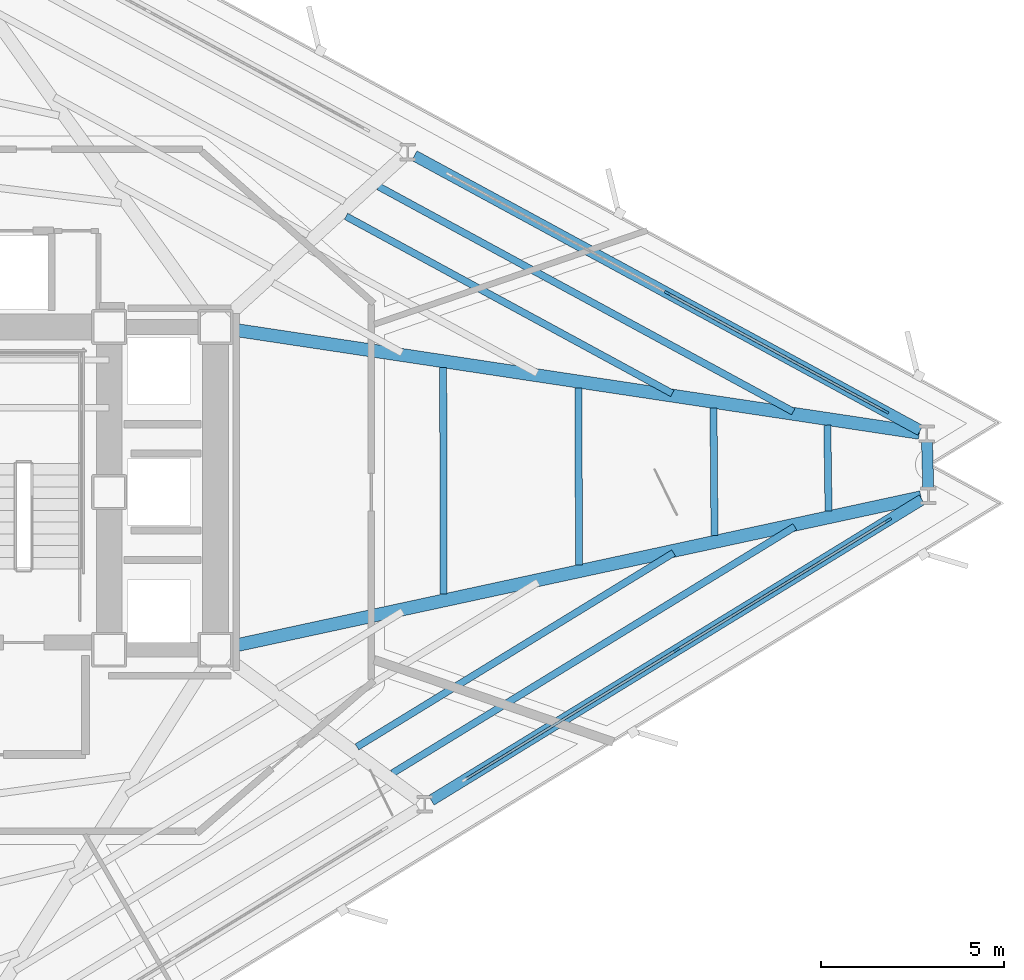
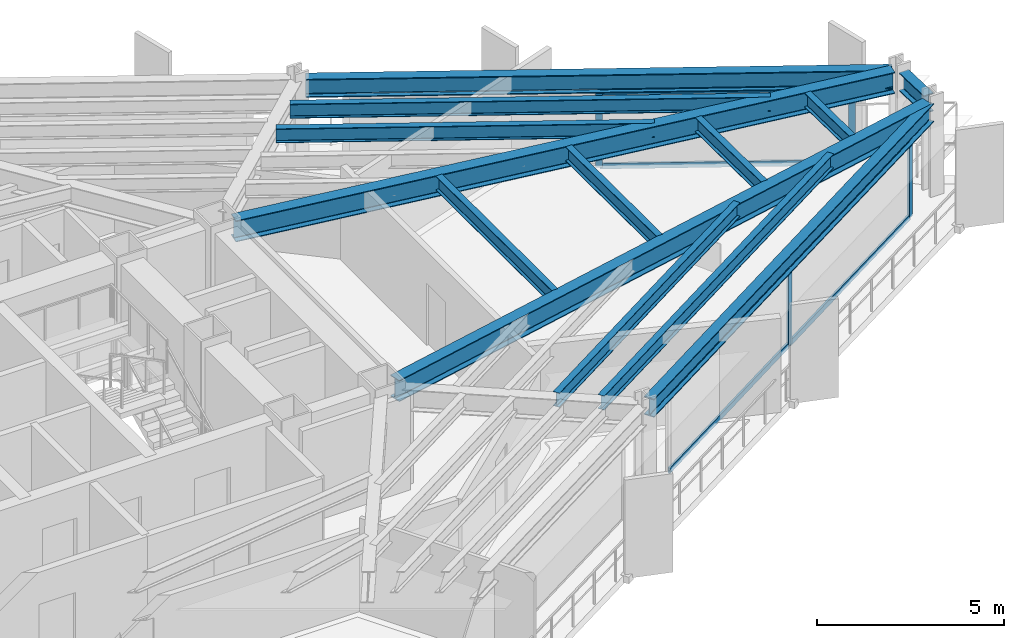
# One storey, part 4 of 14: 13 beams, 10 members, 2 elements without a shape of their own.
"""IFC4 building model written with IfcOpenShell, lengths in metres."""

from ifc_helpers import new_model, si_unit, direction, frame, origin, origin_2d, place, context, subcontext, project, spatial, rectangle, i_section, extrude, material, layer, layer_set, material_profile, profile_set, type_object, element, aggregate, save


model = new_model("IFC4")

# Units and contexts
model_context = context("Model", 3, precision=1e-05, world=origin(), true_north=direction((0.0, 1.0)))
body_context = subcontext(model_context, "Body", "Model", "MODEL_VIEW")
ifc_project = project(units=[si_unit("LENGTHUNIT", "METRE"), si_unit("AREAUNIT", "SQUARE_METRE"), si_unit("VOLUMEUNIT", "CUBIC_METRE"), si_unit("PLANEANGLEUNIT", "RADIAN"), si_unit("MASSUNIT", "GRAM", prefix="KILO")], contexts=[model_context])

# Site, building, storey
site_placement = place(None, origin())
site = spatial("IfcSite", under=ifc_project, at=site_placement, CompositionType="ELEMENT")
building_placement = place(site_placement, origin())
building = spatial("IfcBuilding", under=site, at=building_placement, Name="Rocaltana Carrier Exchange", CompositionType="ELEMENT")
storey_placement = place(building_placement, frame((0.0, 0.0, 39.0400390625)))
storey = spatial("IfcBuildingStorey", under=building, at=storey_placement, Name="L12", CompositionType="ELEMENT", Elevation=39.0400390625)

# Curtain wall, members
ifc_material_1 = material(Name="Aluminium 6063-T6", Category="aluminium")
ifc_layer = layer(ifc_material_1, 0.179931640625)
ifc_layer_set = layer_set([ifc_layer], Name="Aluminium 6063-T6")
curtain_wall_type = type_object("IfcCurtainWallType", Name="Sandstone Spandrel Unitised Curtain Wall CW-01", PredefinedType="NOTDEFINED", material=ifc_layer_set)
curtain_wall_1_placement = place(storey_placement, origin())
curtain_wall_1 = element("IfcCurtainWall", 1, at=curtain_wall_1_placement, inside=storey, type_object=curtain_wall_type, Name="L12 CW-01 Run CW-L12-F1S1", PredefinedType="NOTDEFINED")
ifc_material_2 = material(Name="Aluminium 6063-T6", Category="aluminium")
ifc_material_profile_1 = material_profile(ifc_material_2, rectangle(XDim=0.06494140625, YDim=0.179931640625, at=origin_2d()), Name="AL-65X180")
ifc_profile_set_1 = profile_set([ifc_material_profile_1], Name="Aluminium 6063-T6")
member_type_1 = type_object("IfcMemberType", Name="CW-01 Mullion AL-65X180", PredefinedType="MULLION", material=ifc_profile_set_1)
member_1_placement = place(storey_placement, frame((27.213623046875, 2.19677734375, 0.0), z_axis=(0.0, 0.0, 1.0), x_axis=(-0.477161473226, -0.878815639636, 0.0)))
member_1 = element("IfcMember", 2, at=member_1_placement, type_object=member_type_1, Name="CW-01 mullion 1", PredefinedType="MULLION", context=body_context, shape_type="SweptSolid", body=[
    extrude(rectangle(XDim=0.06494140625, YDim=0.179931640625, at=origin_2d()), origin(), (0.0, 0.0, 1.0), 2.47802734375),
])
member_2_placement = place(storey_placement, frame((21.26611328125, 5.426025390625, 0.0), z_axis=(0.0, 0.0, 1.0), x_axis=(-0.477161473226, -0.878815639636, 0.0)))
member_2 = element("IfcMember", 3, at=member_2_placement, type_object=member_type_1, Name="CW-01 mullion 2", PredefinedType="MULLION", context=body_context, shape_type="SweptSolid", body=[
    extrude(rectangle(XDim=0.06494140625, YDim=0.179931640625, at=origin_2d()), origin(), (0.0, 0.0, 1.0), 2.47802734375),
])

curtain_wall_2_placement = place(storey_placement, origin())
curtain_wall_2 = element("IfcCurtainWall", 4, at=curtain_wall_2_placement, inside=storey, type_object=curtain_wall_type, Name="L12 CW-01 Run CW-L12-F3S3", PredefinedType="NOTDEFINED")
member_3_placement = place(storey_placement, frame((21.52099609375, -4.3056640625, 0.0), z_axis=(0.0, 0.0, 1.0), x_axis=(-0.522499812415, 0.852639399762, 0.0)))
member_3 = element("IfcMember", 5, at=member_3_placement, type_object=member_type_1, Name="CW-01 mullion 2", PredefinedType="MULLION", context=body_context, shape_type="SweptSolid", body=[
    extrude(rectangle(XDim=0.06494140625, YDim=0.179931640625, at=origin_2d()), origin(), (0.0, 0.0, 1.0), 2.47802734375),
])
member_4_placement = place(storey_placement, frame((27.291259765625, -0.76953125, 0.0), z_axis=(0.0, 0.0, 1.0), x_axis=(-0.522499812415, 0.852639399762, 0.0)))
member_4 = element("IfcMember", 6, at=member_4_placement, type_object=member_type_1, Name="CW-01 mullion 3", PredefinedType="MULLION", context=body_context, shape_type="SweptSolid", body=[
    extrude(rectangle(XDim=0.06494140625, YDim=0.179931640625, at=origin_2d()), origin(), (0.0, 0.0, 1.0), 2.47802734375),
])

# Member
ifc_material_3 = material(Name="Aluminium 6063-T6", Category="aluminium")
ifc_material_profile_2 = material_profile(ifc_material_3, rectangle(XDim=0.06494140625, YDim=0.179931640625, at=origin_2d()), Name="AL-65X180")
ifc_profile_set_2 = profile_set([ifc_material_profile_2], Name="Aluminium 6063-T6")
member_type_2 = type_object("IfcMemberType", Name="CW-01 Transom AL-65X180", PredefinedType="USERDEFINED", material=ifc_profile_set_2)
member_5_placement = place(storey_placement, frame((27.18505859375, 2.21240234375, 0.032470703125), z_axis=(-0.878830739565, 0.477133661772, 0.0), x_axis=(-0.477133661772, -0.878830739565, 0.0)))
member_5 = element("IfcMember", 7, at=member_5_placement, type_object=member_type_2, Name="CW-01 transom 1.1", ObjectType="TRANSOM", PredefinedType="USERDEFINED", context=body_context, shape_type="SweptSolid", body=[
    extrude(rectangle(XDim=0.06494140625, YDim=0.179931640625, at=origin_2d()), origin(), (0.0, 0.0, 1.0), 6.70263671875),
])

member_6_placement = place(storey_placement, frame((27.18505859375, 2.21240234375, 2.445556640625), z_axis=(-0.878830739565, 0.477133661772, 0.0), x_axis=(-0.477133661772, -0.878830739565, 0.0)))
member_6 = element("IfcMember", 8, at=member_6_placement, type_object=member_type_2, Name="CW-01 transom 1.2", ObjectType="TRANSOM", PredefinedType="USERDEFINED", context=body_context, shape_type="SweptSolid", body=[
    extrude(rectangle(XDim=0.06494140625, YDim=0.179931640625, at=origin_2d()), origin(), (0.0, 0.0, 1.0), 6.70263671875),
])

aggregate(curtain_wall_1, [member_1, member_2, member_5, member_6])

member_7_placement = place(storey_placement, frame((15.7783203125, -7.82470703125, 0.032470703125), z_axis=(0.85263109068, 0.522513371318, 0.0), x_axis=(-0.522513371318, 0.85263109068, 0.0)))
member_7 = element("IfcMember", 9, at=member_7_placement, type_object=member_type_2, Name="CW-01 transom 1.1", ObjectType="TRANSOM", PredefinedType="USERDEFINED", context=body_context, shape_type="SweptSolid", body=[
    extrude(rectangle(XDim=0.06494140625, YDim=0.179931640625, at=origin_2d()), origin(), (0.0, 0.0, 1.0), 6.70263671875),
])

member_8_placement = place(storey_placement, frame((15.7783203125, -7.82470703125, 2.445556640625), z_axis=(0.85263109068, 0.522513371318, 0.0), x_axis=(-0.522513371318, 0.85263109068, 0.0)))
member_8 = element("IfcMember", 10, at=member_8_placement, type_object=member_type_2, Name="CW-01 transom 1.2", ObjectType="TRANSOM", PredefinedType="USERDEFINED", context=body_context, shape_type="SweptSolid", body=[
    extrude(rectangle(XDim=0.06494140625, YDim=0.179931640625, at=origin_2d()), origin(), (0.0, 0.0, 1.0), 6.70263671875),
])

member_9_placement = place(storey_placement, frame((21.548583984375, -4.28857421875, 0.032470703125), z_axis=(0.85264731822, 0.522486890488, 0.0), x_axis=(-0.522486890488, 0.85264731822, 0.0)))
member_9 = element("IfcMember", 11, at=member_9_placement, type_object=member_type_2, Name="CW-01 transom 2.1", ObjectType="TRANSOM", PredefinedType="USERDEFINED", context=body_context, shape_type="SweptSolid", body=[
    extrude(rectangle(XDim=0.06494140625, YDim=0.179931640625, at=origin_2d()), origin(), (0.0, 0.0, 1.0), 6.702392578125),
])

member_10_placement = place(storey_placement, frame((21.548583984375, -4.28857421875, 2.445556640625), z_axis=(0.85264731822, 0.522486890488, 0.0), x_axis=(-0.522486890488, 0.85264731822, 0.0)))
member_10 = element("IfcMember", 12, at=member_10_placement, type_object=member_type_2, Name="CW-01 transom 2.2", ObjectType="TRANSOM", PredefinedType="USERDEFINED", context=body_context, shape_type="SweptSolid", body=[
    extrude(rectangle(XDim=0.06494140625, YDim=0.179931640625, at=origin_2d()), origin(), (0.0, 0.0, 1.0), 6.702392578125),
])

aggregate(curtain_wall_2, [member_3, member_4, member_7, member_8, member_9, member_10])

# Beams
ifc_material_4 = material(Name="Steel S355", Category="steel")
ifc_material_profile_3 = material_profile(ifc_material_4, i_section(OverallWidth=0.193115234375, OverallDepth=0.466064453125, WebThickness=0.011474609375, FlangeThickness=0.01904296875, FilletRadius=0.013916015625, at=origin_2d()), Name="W18X65")
ifc_profile_set_3 = profile_set([ifc_material_profile_3], Name="Steel S355")
beam_type_1 = type_object("IfcBeamType", Name="Floor Joist W18X65", PredefinedType="JOIST", material=ifc_profile_set_3)
beam_1_placement = place(storey_placement, frame((21.4033203125, 2.68701171875, 2.864990234375), z_axis=(-0.878818466662, 0.477156266494, 0.0), x_axis=(-0.477156266494, -0.878818466662, 0.0)))
element("IfcBeam", 13, at=beam_1_placement, inside=storey, type_object=beam_type_1, Name="FJ-L12-01-3", PredefinedType="JOIST", context=body_context, shape_type="SweptSolid", body=[
    extrude(i_section(OverallWidth=0.193115234375, OverallDepth=0.466064453125, WebThickness=0.011474609375, FlangeThickness=0.01904296875, FilletRadius=0.013916015625, at=origin_2d()), origin(), (0.0, 0.0, 1.0), 10.1220703125),
])
beam_2_placement = place(storey_placement, frame((24.69970703125, 2.19140625, 2.864990234375), z_axis=(-0.878819767198, 0.477153871181, 0.0), x_axis=(-0.477153871181, -0.878819767198, 0.0)))
element("IfcBeam", 14, at=beam_2_placement, inside=storey, type_object=beam_type_1, Name="FJ-L12-01-4", PredefinedType="JOIST", context=body_context, shape_type="SweptSolid", body=[
    extrude(i_section(OverallWidth=0.193115234375, OverallDepth=0.466064453125, WebThickness=0.011474609375, FlangeThickness=0.01904296875, FilletRadius=0.013916015625, at=origin_2d()), origin(), (0.0, 0.0, 1.0), 12.859130859375),
])
beam_3_placement = place(storey_placement, frame((12.805908203125, -6.947998046875, 2.864990234375), z_axis=(0.852634876053, 0.522507194341, 0.0), x_axis=(-0.522507194341, 0.852634876053, 0.0)))
element("IfcBeam", 15, at=beam_3_placement, inside=storey, type_object=beam_type_1, Name="FJ-L12-11-3", PredefinedType="JOIST", context=body_context, shape_type="SweptSolid", body=[
    extrude(i_section(OverallWidth=0.193115234375, OverallDepth=0.466064453125, WebThickness=0.011474609375, FlangeThickness=0.01904296875, FilletRadius=0.013916015625, at=origin_2d()), origin(), (0.0, 0.0, 1.0), 10.1220703125),
])
beam_4_placement = place(storey_placement, frame((13.776123046875, -7.6640625, 2.864990234375), z_axis=(0.852642453123, 0.522494829766, 0.0), x_axis=(-0.522494829766, 0.852642453123, 0.0)))
element("IfcBeam", 16, at=beam_4_placement, inside=storey, type_object=beam_type_1, Name="FJ-L12-11-4", PredefinedType="JOIST", context=body_context, shape_type="SweptSolid", body=[
    extrude(i_section(OverallWidth=0.193115234375, OverallDepth=0.466064453125, WebThickness=0.011474609375, FlangeThickness=0.01904296875, FilletRadius=0.013916015625, at=origin_2d()), origin(), (0.0, 0.0, 1.0), 12.85888671875),
])
beam_5_placement = place(storey_placement, frame((15.168701171875, -2.7841796875, 2.864990234375), z_axis=(-0.00213328634, 0.999997724542, 0.0), x_axis=(-0.999997724542, -0.00213328634, 0.0)))
element("IfcBeam", 17, at=beam_5_placement, inside=storey, type_object=beam_type_1, Name="FJ-L12-12-1", PredefinedType="JOIST", context=body_context, shape_type="SweptSolid", body=[
    extrude(i_section(OverallWidth=0.193115234375, OverallDepth=0.466064453125, WebThickness=0.011474609375, FlangeThickness=0.01904296875, FilletRadius=0.013916015625, at=origin_2d()), origin(), (0.0, 0.0, 1.0), 6.179931640625),
])
beam_6_placement = place(storey_placement, frame((18.861083984375, -1.986083984375, 2.864990234375), z_axis=(-0.004348884286, 0.999990543558, 0.0), x_axis=(-0.999990543558, -0.004348884286, 0.0)))
element("IfcBeam", 18, at=beam_6_placement, inside=storey, type_object=beam_type_1, Name="FJ-L12-12-2", PredefinedType="JOIST", context=body_context, shape_type="SweptSolid", body=[
    extrude(i_section(OverallWidth=0.193115234375, OverallDepth=0.466064453125, WebThickness=0.011474609375, FlangeThickness=0.01904296875, FilletRadius=0.013916015625, at=origin_2d()), origin(), (0.0, 0.0, 1.0), 4.827880859375),
])
beam_7_placement = place(storey_placement, frame((22.552978515625, -1.188232421875, 2.864990234375), z_axis=(-0.008076713655, 0.999967382816, 0.0), x_axis=(-0.999967382816, -0.008076713655, 0.0)))
element("IfcBeam", 19, at=beam_7_placement, inside=storey, type_object=beam_type_1, Name="FJ-L12-12-3", PredefinedType="JOIST", context=body_context, shape_type="SweptSolid", body=[
    extrude(i_section(OverallWidth=0.193115234375, OverallDepth=0.466064453125, WebThickness=0.011474609375, FlangeThickness=0.01904296875, FilletRadius=0.013916015625, at=origin_2d()), origin(), (0.0, 0.0, 1.0), 3.47607421875),
])
beam_8_placement = place(storey_placement, frame((25.661376953125, -0.51611328125, 2.864990234375), z_axis=(-0.014097815542, 0.99990062086, 0.0), x_axis=(-0.99990062086, -0.014097815542, 0.0)))
element("IfcBeam", 20, at=beam_8_placement, inside=storey, type_object=beam_type_1, Name="FJ-L12-12-4", PredefinedType="JOIST", context=body_context, shape_type="SweptSolid", body=[
    extrude(i_section(OverallWidth=0.193115234375, OverallDepth=0.466064453125, WebThickness=0.011474609375, FlangeThickness=0.01904296875, FilletRadius=0.013916015625, at=origin_2d()), origin(), (0.0, 0.0, 1.0), 2.337890625),
])
ifc_material_5 = material(Name="Steel S355", Category="steel")
ifc_material_profile_4 = material_profile(ifc_material_5, i_section(OverallWidth=0.35498046875, OverallDepth=0.695068359375, WebThickness=0.015380859375, FlangeThickness=0.02490234375, FilletRadius=0.01806640625, at=origin_2d()), Name="W27X146")
ifc_profile_set_4 = profile_set([ifc_material_profile_4], Name="Steel S355")
beam_type_2 = type_object("IfcBeamType", Name="Radial Girder W27X146", PredefinedType="BEAM", material=ifc_profile_set_4)
beam_9_placement = place(storey_placement, frame((9.411865234375, 4.4306640625, 2.75048828125), z_axis=(0.988886936912, -0.148669519418, 0.0), x_axis=(0.148669519418, 0.988886936912, 0.0)))
element("IfcBeam", 21, at=beam_9_placement, inside=storey, type_object=beam_type_2, Name="RG-L12-01", PredefinedType="BEAM", context=body_context, shape_type="SweptSolid", body=[
    extrude(i_section(OverallWidth=0.35498046875, OverallDepth=0.695068359375, WebThickness=0.015380859375, FlangeThickness=0.02490234375, FilletRadius=0.01806640625, at=origin_2d()), origin(), (0.0, 0.0, 1.0), 18.9375),
])
beam_10_placement = place(storey_placement, frame((9.406494140625, -4.201416015625, 2.75048828125), z_axis=(0.977429699022, 0.211260936923, 0.0), x_axis=(-0.211260936923, 0.977429699022, 0.0)))
element("IfcBeam", 22, at=beam_10_placement, inside=storey, type_object=beam_type_2, Name="RG-L12-12", PredefinedType="BEAM", context=body_context, shape_type="SweptSolid", body=[
    extrude(i_section(OverallWidth=0.35498046875, OverallDepth=0.695068359375, WebThickness=0.015380859375, FlangeThickness=0.02490234375, FilletRadius=0.01806640625, at=origin_2d()), origin(), (0.0, 0.0, 1.0), 19.21240234375),
])
ifc_material_6 = material(Name="Steel S355", Category="steel")
ifc_material_profile_5 = material_profile(ifc_material_6, i_section(OverallWidth=0.300048828125, OverallDepth=0.60009765625, WebThickness=0.015380859375, FlangeThickness=0.030029296875, FilletRadius=0.027099609375, at=origin_2d()), Name="HEB600")
ifc_profile_set_5 = profile_set([ifc_material_profile_5], Name="Steel S355")
beam_type_3 = type_object("IfcBeamType", Name="Spandrel Edge Beam HEB600", PredefinedType="SPANDREL", material=ifc_profile_set_5)
for number, where, z_axis, x_axis, name in (
    (23, (28.161376953125, 1.68212890625, 2.7978515625), (-0.878809627373, 0.47717254619, 0.0), (-0.47717254619, -0.878809627373, 0.0), "SP-L12-01"),
    (24, (14.8310546875, -8.405029296875, 2.7978515625), (0.852642393394, 0.522494927236, 0.0), (-0.522494927236, 0.852642393394, 0.0), "SP-L12-11"),
):
    element("IfcBeam", number, at=place(storey_placement, frame(where, z_axis=z_axis, x_axis=x_axis)), inside=storey, type_object=beam_type_3, Name=name, PredefinedType="SPANDREL", context=body_context, shape_type="SweptSolid", body=[
        extrude(i_section(OverallWidth=0.300048828125, OverallDepth=0.60009765625, WebThickness=0.015380859375, FlangeThickness=0.030029296875, FilletRadius=0.027099609375, at=origin_2d()), origin(), (0.0, 0.0, 1.0), 15.69189453125),
    ])
beam_11_placement = place(storey_placement, frame((28.37939453125, 0.1044921875, 2.7978515625), z_axis=(-0.026191050472, 0.999656955598, 0.0), x_axis=(-0.999656955598, -0.026191050472, 0.0)))
element("IfcBeam", 25, at=beam_11_placement, inside=storey, type_object=beam_type_3, Name="SP-L12-12", PredefinedType="SPANDREL", context=body_context, shape_type="SweptSolid", body=[
    extrude(i_section(OverallWidth=0.300048828125, OverallDepth=0.60009765625, WebThickness=0.015380859375, FlangeThickness=0.030029296875, FilletRadius=0.027099609375, at=origin_2d()), origin(), (0.0, 0.0, 1.0), 1.277099609375),
])

save(model, "model.ifc")
